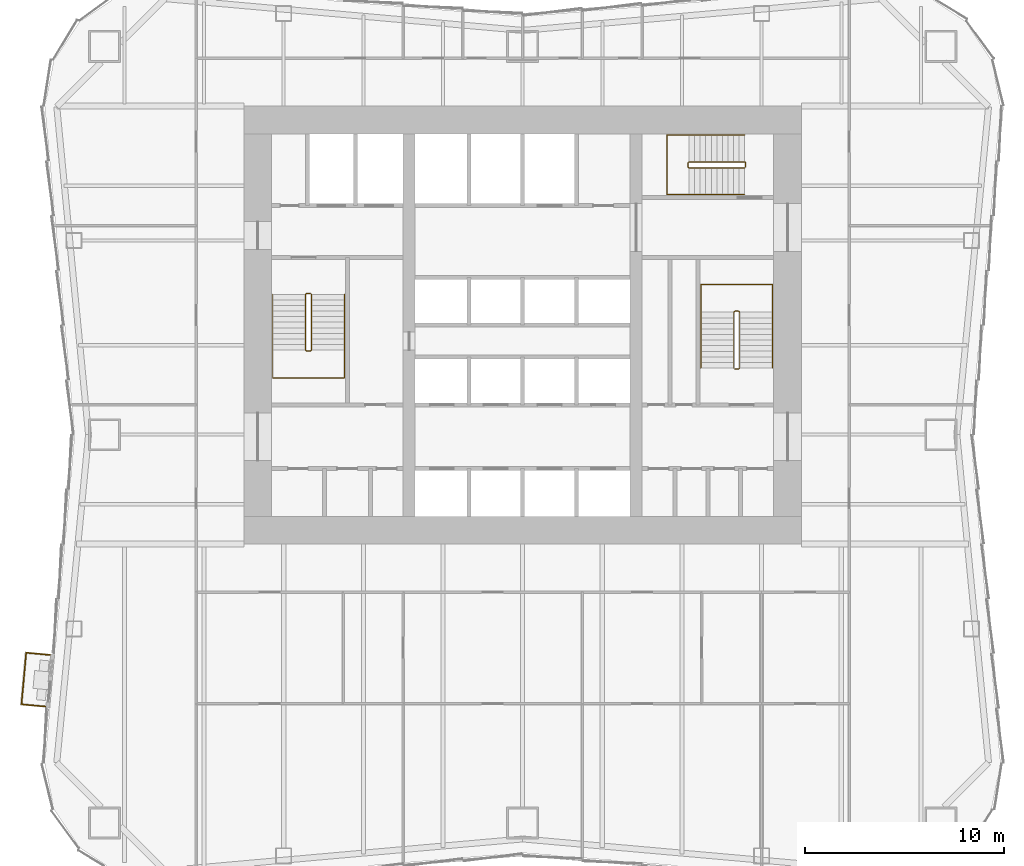
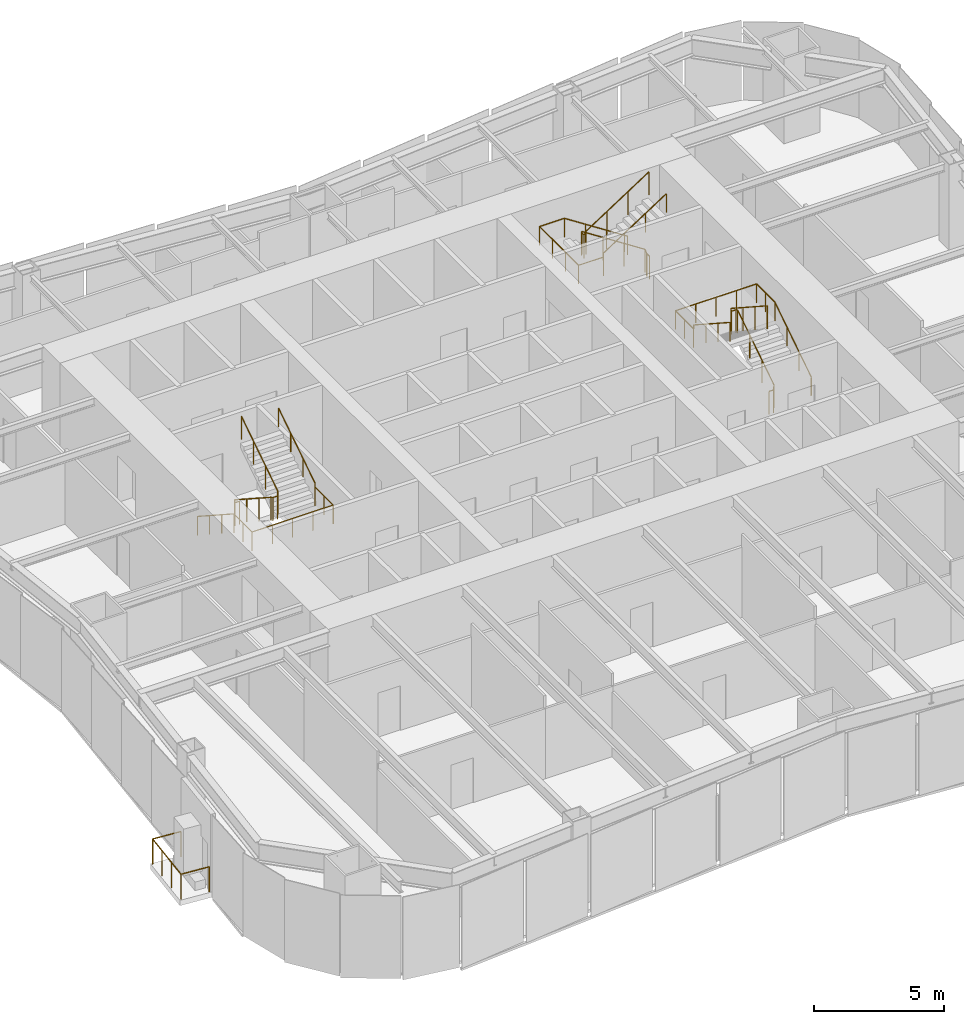
# One storey, part 7 of 8: 7 railings.
"""IFC4 building model written with IfcOpenShell, lengths in metres."""

import ifcopenshell
import ifcopenshell.guid

model = None  # the IFC model being written
_history = None  # IfcOwnerHistory: only IFC2X3 demands one
_inside = {}  # id of a spatial element -> (the spatial element, [elements in it])
_under = {}  # id of a project, library or spatial element -> (it, [spatial elements below it])
_declared = {}  # id of a project -> (the project, [libraries it declares])
_typed = {}  # id of a type object -> (the type object, [elements of that type])
_made_of = {}  # id of a material, layer set ... -> (it, [elements and type objects made of it])


def new_model(schema):
    """Start an empty IFC model of exactly this schema.

    Asked for "IFC4X3", IfcOpenShell would pick the latest addendum, in which some entities
    have other attributes; the version numbers below select the first issue.
    IFC2X3 requires an IfcOwnerHistory on every rooted entity: one is made here for all.
    """
    global model, _history
    if schema == "IFC4X3":
        model = ifcopenshell.file(schema_version=(4, 3, 0, 0))
    else:
        model = ifcopenshell.file(schema=schema)
    _inside.clear()
    _under.clear()
    _declared.clear()
    _typed.clear()
    _made_of.clear()
    _history = None
    if model.schema == "IFC2X3":
        org = make("IfcOrganization", Name="unknown")
        user = make(
            "IfcPersonAndOrganization",
            ThePerson=make("IfcPerson", FamilyName="unknown"),
            TheOrganization=org,
        )
        app = make(
            "IfcApplication",
            ApplicationDeveloper=org,
            Version="unknown",
            ApplicationFullName="unknown",
            ApplicationIdentifier="unknown",
        )
        _history = make(
            "IfcOwnerHistory",
            OwningUser=user,
            OwningApplication=app,
            ChangeAction="ADDED",
            CreationDate=0,
        )
    return model


def make(cls, **values):
    """One entity of the class cls with the attributes given. An attribute that is None is left unset."""
    return model.create_entity(
        cls, **{name: value for name, value in values.items() if value is not None}
    )


def rooted(cls, **values):
    """An entity with a GlobalId (a new one), such as an element, a storey or a relation."""
    return make(cls, GlobalId=ifcopenshell.guid.new(), OwnerHistory=_history, **values)


def si_unit(unit_type, name, prefix=None):
    """IfcSIUnit, for example si_unit("LENGTHUNIT", "METRE", prefix="MILLI")."""
    return make("IfcSIUnit", UnitType=unit_type, Prefix=prefix, Name=name)


def assignment(units):
    """IfcUnitAssignment: the units of a project."""
    return None if units is None else make("IfcUnitAssignment", Units=units)


def point(xyz):
    """IfcCartesianPoint."""
    return None if xyz is None else make("IfcCartesianPoint", Coordinates=xyz)


def direction(xyz):
    """IfcDirection."""
    return None if xyz is None else make("IfcDirection", DirectionRatios=xyz)


def frame(location, z_axis=None, x_axis=None):
    """IfcAxis2Placement3D, a coordinate frame: its origin and axes. An axis left out is left unset."""
    return make(
        "IfcAxis2Placement3D",
        Location=point(location),
        Axis=direction(z_axis),
        RefDirection=direction(x_axis),
    )


def frame_2d(location, x_axis=None):
    """IfcAxis2Placement2D, a coordinate frame in the plane: its origin and x axis."""
    return make(
        "IfcAxis2Placement2D", Location=point(location), RefDirection=direction(x_axis)
    )


def origin():
    """The frame at (0, 0, 0) with its axes left unset."""
    return frame((0.0, 0.0, 0.0))


def origin_2d():
    """The frame at (0, 0) in the plane with its x axis left unset."""
    return frame_2d((0.0, 0.0))


def place(relative_to, where):
    """IfcLocalPlacement: puts the frame where relative to a parent placement (None: the world)."""
    return make(
        "IfcLocalPlacement", PlacementRelTo=relative_to, RelativePlacement=where
    )


def context(
    kind, dimensions, precision=None, world=None, true_north=None, identifier=None
):
    """IfcGeometricRepresentationContext, for example the 3D "Model" context."""
    return make(
        "IfcGeometricRepresentationContext",
        ContextIdentifier=identifier,
        ContextType=kind,
        CoordinateSpaceDimension=dimensions,
        Precision=precision,
        WorldCoordinateSystem=world,
        TrueNorth=true_north,
    )


def subcontext(parent, identifier, kind, view, scale=None):
    """IfcGeometricRepresentationSubContext, for example "Body" below "Model"."""
    return make(
        "IfcGeometricRepresentationSubContext",
        ContextIdentifier=identifier,
        ContextType=kind,
        ParentContext=parent,
        TargetScale=scale,
        TargetView=view,
    )


def project(units=None, contexts=None):
    """IfcProject with its units and contexts."""
    return rooted(
        "IfcProject",
        Name="project",
        RepresentationContexts=contexts,
        UnitsInContext=assignment(units),
    )


def spatial(cls, under=None, at=None, **own):
    """A site, building, storey or space (cls), placed at a placement, below another one or the project."""
    s = rooted(cls, ObjectPlacement=at, **own)
    if under is not None:
        _under.setdefault(under.id(), (under, []))[1].append(s)
    return s


def profile(cls, at=None, kind="AREA", **sizes):
    """A parametric profile (cls). Its sizes go by their IFC names, for example OverallWidth=200.0."""
    return make(cls, ProfileType=kind, Position=at, **sizes)


def circle(**sizes):
    """IfcCircleProfileDef."""
    return profile("IfcCircleProfileDef", **sizes)


def extrude(swept, where, along, depth):
    """IfcExtrudedAreaSolid: the profile swept, set in the frame where, extruded along a direction by depth."""
    return make(
        "IfcExtrudedAreaSolid",
        SweptArea=swept,
        Position=where,
        ExtrudedDirection=direction(along),
        Depth=depth,
    )


def shape(context_of_items, identifier, shape_type, items):
    """IfcShapeRepresentation: the items that make up one representation, for example the "Body"."""
    return make(
        "IfcShapeRepresentation",
        ContextOfItems=context_of_items,
        RepresentationIdentifier=identifier,
        RepresentationType=shape_type,
        Items=items,
    )


def material(Name=None, Category=None):
    """IfcMaterial."""
    return make("IfcMaterial", Name=Name, Category=Category)


def made_of(thing, what):
    """Note that an element or type object is made of a material, layer set ...; save() writes the relation."""
    if what is not None:
        _made_of.setdefault(what.id(), (what, []))[1].append(thing)
    return thing


def type_object(cls, material=None, **own):
    """A type object (cls), such as IfcWallType, which elements share."""
    return made_of(rooted(cls, **own), material)


def element(
    cls,
    number,
    at=None,
    inside=None,
    cuts=None,
    type_object=None,
    material=None,
    context=None,
    identifier="Body",
    shape_type=None,
    held_by="IfcProductDefinitionShape",
    body=None,
    shapes=None,
    **own,
):
    """One element of the class cls, such as IfcWall. Its Tag is "e" and its number.

    at: its placement. inside: the storey or other place that contains it. cuts: it is an
    opening in that element (IfcRelVoidsElement). A single representation is given by context,
    identifier, shape_type and body (its items); several are given by shapes. held_by: the class
    of the entity that holds the representations. save() writes the other relations.
    """
    e = rooted(cls, Tag="e%d" % number, ObjectPlacement=at, **own)
    if body is not None:
        shapes = [shape(context, identifier, shape_type, body)]
    if shapes is not None:
        e.Representation = make(held_by, Representations=shapes)
    if inside is not None:
        _inside.setdefault(inside.id(), (inside, []))[1].append(e)
    if cuts is not None:
        rooted(
            "IfcRelVoidsElement", RelatingBuildingElement=cuts, RelatedOpeningElement=e
        )
    if type_object is not None:
        _typed.setdefault(type_object.id(), (type_object, []))[1].append(e)
    return made_of(e, material)


def aggregate(whole, parts):
    """IfcRelAggregates: a whole, such as a stair, and the parts it consists of."""
    return rooted("IfcRelAggregates", RelatingObject=whole, RelatedObjects=parts)


def save(model, path):
    """Write the relations noted so far, then the file.

    IfcRelAggregates (storeys below a building ...), IfcRelContainedInSpatialStructure (elements
    in a storey), IfcRelDefinesByType, IfcRelAssociatesMaterial and IfcRelDeclares: one each for
    every whole, place, type object, material and project.
    """
    for whole, parts in _under.values():
        aggregate(whole, parts)
    for where, things in _inside.values():
        rooted(
            "IfcRelContainedInSpatialStructure",
            RelatedElements=things,
            RelatingStructure=where,
        )
    for kind, things in _typed.values():
        rooted("IfcRelDefinesByType", RelatedObjects=things, RelatingType=kind)
    for what, things in _made_of.values():
        rooted("IfcRelAssociatesMaterial", RelatedObjects=things, RelatingMaterial=what)
    for by, libraries in _declared.values():
        rooted("IfcRelDeclares", RelatingContext=by, RelatedDefinitions=libraries)
    model.write(path)


model = new_model("IFC4")

# Units and contexts
model_context = context("Model", 3, precision=1e-05, world=origin(), true_north=direction((0.0, 1.0)))
body_context = subcontext(model_context, "Body", "Model", "MODEL_VIEW")
ifc_project = project(units=[si_unit("LENGTHUNIT", "METRE"), si_unit("AREAUNIT", "SQUARE_METRE"), si_unit("VOLUMEUNIT", "CUBIC_METRE"), si_unit("PLANEANGLEUNIT", "RADIAN"), si_unit("MASSUNIT", "GRAM", prefix="KILO")], contexts=[model_context])

# Site, building, storey
site_placement = place(None, origin())
site = spatial("IfcSite", under=ifc_project, at=site_placement, CompositionType="ELEMENT")
building_placement = place(site_placement, origin())
building = spatial("IfcBuilding", under=site, at=building_placement, Name="Verdant Reach Tower", CompositionType="ELEMENT")
storey_placement = place(building_placement, frame((0.0, 0.0, 46.0)))
storey = spatial("IfcBuildingStorey", under=building, at=storey_placement, Name="L10", CompositionType="ELEMENT", Elevation=46.0)

# Railings
ifc_material_1 = material(Name="Stainless steel", Category="steel")
railing_type_1 = type_object("IfcRailingType", Name="CO-GUARD", PredefinedType="GUARDRAIL", material=ifc_material_1)
railing_1_placement = place(storey_placement, frame((-10.64990234375, 29.60009765625, 0.0)))
element("IfcRailing", 1, at=railing_1_placement, inside=storey, type_object=railing_type_1, Name="L10 ST-1 stair guard 1", PredefinedType="GUARDRAIL", context=body_context, shape_type="SweptSolid", body=[
    extrude(circle(Radius=0.02392578125, at=origin_2d()), frame((0.0, 0.0, 1.076171875), z_axis=(-1.0, 0.0, 0.0), x_axis=(0.0, -1.0, 0.0)), (0.0, 0.0, 1.0), 0.2001953125),
    extrude(circle(Radius=0.02392578125, at=origin_2d()), frame((-0.2001953125, 0.0, 1.076171875), z_axis=(-0.25526617399, -0.256517478764, 0.932222056972), x_axis=(0.708833529934, -0.705375805398, 0.0)), (0.0, 0.0, 1.0), 0.195068359375),
    extrude(circle(Radius=0.02392578125, at=origin_2d()), frame((-0.25, -0.050048828125, 1.2578125), z_axis=(0.0, -0.838705829183, 0.544584733623), x_axis=(1.0, 0.0, 0.0)), (0.0, 0.0, 1.0), 3.338623046875),
    extrude(circle(Radius=0.02392578125, at=origin_2d()), frame((-0.25, -2.85009765625, 3.076171875), z_axis=(0.705375805398, -0.708833529934, 0.0), x_axis=(0.708833529934, 0.705375805398, 0.0)), (0.0, 0.0, 1.0), 0.070556640625),
    extrude(circle(Radius=0.02392578125, at=origin_2d()), frame((-0.2001953125, -2.900146484375, 3.076171875), z_axis=(1.0, 0.0, 0.0), x_axis=(0.0, 1.0, 0.0)), (0.0, 0.0, 1.0), 0.2001953125),
    extrude(circle(Radius=0.02392578125, at=origin_2d()), frame((0.0, -2.900146484375, 3.076171875), z_axis=(0.25526617399, 0.256517478764, 0.932222056972), x_axis=(-0.708833529934, 0.705375805398, 0.0)), (0.0, 0.0, 1.0), 0.195068359375),
    extrude(circle(Radius=0.02392578125, at=origin_2d()), frame((0.0498046875, -2.85009765625, 3.2578125), z_axis=(0.0, 0.838705829183, 0.544584733623), x_axis=(-1.0, 0.0, 0.0)), (0.0, 0.0, 1.0), 3.338623046875),
    extrude(circle(Radius=0.02099609375, at=origin_2d()), origin(), (0.0, 0.0, 1.0), 1.052001953125),
    extrude(circle(Radius=0.02099609375, at=origin_2d()), frame((-0.2001953125, 0.0, 0.0)), (0.0, 0.0, 1.0), 1.052001953125),
    extrude(circle(Radius=0.02099609375, at=origin_2d()), frame((-0.25, -0.050048828125, 0.181884765625)), (0.0, 0.0, 1.0), 1.052001953125),
    extrude(circle(Radius=0.02099609375, at=origin_2d()), frame((-0.25, -0.9833984375, 0.787841796875)), (0.0, 0.0, 1.0), 1.052001953125),
    extrude(circle(Radius=0.02099609375, at=origin_2d()), frame((-0.25, -1.916748046875, 1.39404296875)), (0.0, 0.0, 1.0), 1.052001953125),
    extrude(circle(Radius=0.02099609375, at=origin_2d()), frame((-0.25, -2.85009765625, 2.0)), (0.0, 0.0, 1.0), 1.052001953125),
    extrude(circle(Radius=0.02099609375, at=origin_2d()), frame((-0.2001953125, -2.900146484375, 2.0)), (0.0, 0.0, 1.0), 1.052001953125),
    extrude(circle(Radius=0.02099609375, at=origin_2d()), frame((0.0, -2.900146484375, 2.0)), (0.0, 0.0, 1.0), 1.052001953125),
    extrude(circle(Radius=0.02099609375, at=origin_2d()), frame((0.0498046875, -2.85009765625, 2.181884765625)), (0.0, 0.0, 1.0), 1.052001953125),
    extrude(circle(Radius=0.02099609375, at=origin_2d()), frame((0.0498046875, -1.916748046875, 2.787841796875)), (0.0, 0.0, 1.0), 1.052001953125),
    extrude(circle(Radius=0.02099609375, at=origin_2d()), frame((0.0498046875, -0.9833984375, 3.39404296875)), (0.0, 0.0, 1.0), 1.052001953125),
    extrude(circle(Radius=0.02099609375, at=origin_2d()), frame((0.0498046875, -0.050048828125, 4.0)), (0.0, 0.0, 1.0), 1.052001953125),
])
railing_2_placement = place(storey_placement, frame((10.64990234375, 25.800048828125, 0.0)))
element("IfcRailing", 2, at=railing_2_placement, inside=storey, type_object=railing_type_1, Name="L10 ST-2 stair guard 1", PredefinedType="GUARDRAIL", context=body_context, shape_type="SweptSolid", body=[
    extrude(circle(Radius=0.02392578125, at=origin_2d()), frame((0.0, 0.0, 1.076171875), z_axis=(1.0, 0.0, 0.0), x_axis=(0.0, 1.0, 0.0)), (0.0, 0.0, 1.0), 0.2001953125),
    extrude(circle(Radius=0.02392578125, at=origin_2d()), frame((0.2001953125, 0.0, 1.076171875), z_axis=(0.25526617399, 0.256517478764, 0.932222056972), x_axis=(-0.708833529934, 0.705375805398, 0.0)), (0.0, 0.0, 1.0), 0.195068359375),
    extrude(circle(Radius=0.02392578125, at=origin_2d()), frame((0.25, 0.050048828125, 1.2578125), z_axis=(0.0, 0.83868413941, 0.544618136222), x_axis=(-1.0, 0.0, 0.0)), (0.0, 0.0, 1.0), 3.33837890625),
    extrude(circle(Radius=0.02392578125, at=origin_2d()), frame((0.25, 2.849853515625, 3.076171875), z_axis=(-0.705375805398, 0.708833529934, 0.0), x_axis=(-0.708833529934, -0.705375805398, 0.0)), (0.0, 0.0, 1.0), 0.070556640625),
    extrude(circle(Radius=0.02392578125, at=origin_2d()), frame((0.2001953125, 2.89990234375, 3.076171875), z_axis=(-1.0, 0.0, 0.0), x_axis=(0.0, -1.0, 0.0)), (0.0, 0.0, 1.0), 0.2001953125),
    extrude(circle(Radius=0.02392578125, at=origin_2d()), frame((0.0, 2.89990234375, 3.076171875), z_axis=(-0.25526617399, -0.256517478764, 0.932222056972), x_axis=(0.708833529934, -0.705375805398, 0.0)), (0.0, 0.0, 1.0), 0.195068359375),
    extrude(circle(Radius=0.02392578125, at=origin_2d()), frame((-0.0498046875, 2.849853515625, 3.2578125), z_axis=(0.0, -0.83868413941, 0.544618136222), x_axis=(1.0, 0.0, 0.0)), (0.0, 0.0, 1.0), 3.33837890625),
    extrude(circle(Radius=0.02099609375, at=origin_2d()), origin(), (0.0, 0.0, 1.0), 1.052001953125),
    extrude(circle(Radius=0.02099609375, at=origin_2d()), frame((0.2001953125, 0.0, 0.0)), (0.0, 0.0, 1.0), 1.052001953125),
    extrude(circle(Radius=0.02099609375, at=origin_2d()), frame((0.25, 0.050048828125, 0.181884765625)), (0.0, 0.0, 1.0), 1.052001953125),
    extrude(circle(Radius=0.02099609375, at=origin_2d()), frame((0.25, 0.9833984375, 0.787841796875)), (0.0, 0.0, 1.0), 1.052001953125),
    extrude(circle(Radius=0.02099609375, at=origin_2d()), frame((0.25, 1.91650390625, 1.39404296875)), (0.0, 0.0, 1.0), 1.052001953125),
    extrude(circle(Radius=0.02099609375, at=origin_2d()), frame((0.25, 2.849853515625, 2.0)), (0.0, 0.0, 1.0), 1.052001953125),
    extrude(circle(Radius=0.02099609375, at=origin_2d()), frame((0.2001953125, 2.89990234375, 2.0)), (0.0, 0.0, 1.0), 1.052001953125),
    extrude(circle(Radius=0.02099609375, at=origin_2d()), frame((0.0, 2.89990234375, 2.0)), (0.0, 0.0, 1.0), 1.052001953125),
    extrude(circle(Radius=0.02099609375, at=origin_2d()), frame((-0.0498046875, 2.849853515625, 2.181884765625)), (0.0, 0.0, 1.0), 1.052001953125),
    extrude(circle(Radius=0.02099609375, at=origin_2d()), frame((-0.0498046875, 1.91650390625, 2.787841796875)), (0.0, 0.0, 1.0), 1.052001953125),
    extrude(circle(Radius=0.02099609375, at=origin_2d()), frame((-0.0498046875, 0.9833984375, 3.39404296875)), (0.0, 0.0, 1.0), 1.052001953125),
    extrude(circle(Radius=0.02099609375, at=origin_2d()), frame((-0.0498046875, 0.050048828125, 4.0)), (0.0, 0.0, 1.0), 1.052001953125),
])
railing_3_placement = place(storey_placement, frame((11.199951171875, 35.949951171875, 0.0)))
element("IfcRailing", 3, at=railing_3_placement, inside=storey, type_object=railing_type_1, Name="L10 ST-3 stair guard 1", PredefinedType="GUARDRAIL", context=body_context, shape_type="SweptSolid", body=[
    extrude(circle(Radius=0.02392578125, at=origin_2d()), frame((0.0, 0.0, 1.076171875), z_axis=(0.0, 1.0, 0.0), x_axis=(-1.0, 0.0, 0.0)), (0.0, 0.0, 1.0), 0.199951171875),
    extrude(circle(Radius=0.02392578125, at=origin_2d()), frame((0.0, 0.199951171875, 1.076171875), z_axis=(-0.256435381639, 0.256435381639, 0.931923704005), x_axis=(-0.707106781187, -0.707106781187, 0.0)), (0.0, 0.0, 1.0), 0.195068359375),
    extrude(circle(Radius=0.02392578125, at=origin_2d()), frame((-0.050048828125, 0.25, 1.2578125), z_axis=(-0.83868413941, 0.0, 0.544618136222), x_axis=(0.0, -1.0, 0.0)), (0.0, 0.0, 1.0), 3.33837890625),
    extrude(circle(Radius=0.02392578125, at=origin_2d()), frame((-2.849853515625, 0.25, 3.076171875), z_axis=(-0.707106781187, -0.707106781187, 0.0), x_axis=(0.707106781187, -0.707106781187, 0.0)), (0.0, 0.0, 1.0), 0.07080078125),
    extrude(circle(Radius=0.02392578125, at=origin_2d()), frame((-2.89990234375, 0.199951171875, 3.076171875), z_axis=(0.0, -1.0, 0.0), x_axis=(1.0, 0.0, 0.0)), (0.0, 0.0, 1.0), 0.199951171875),
    extrude(circle(Radius=0.02392578125, at=origin_2d()), frame((-2.89990234375, 0.0, 3.076171875), z_axis=(0.256435381639, -0.256435381639, 0.931923704005), x_axis=(0.707106781187, 0.707106781187, 0.0)), (0.0, 0.0, 1.0), 0.195068359375),
    extrude(circle(Radius=0.02392578125, at=origin_2d()), frame((-2.849853515625, -0.050048828125, 3.2578125), z_axis=(0.83868413941, 0.0, 0.544618136222), x_axis=(0.0, 1.0, 0.0)), (0.0, 0.0, 1.0), 3.33837890625),
    extrude(circle(Radius=0.02099609375, at=origin_2d()), origin(), (0.0, 0.0, 1.0), 1.052001953125),
    extrude(circle(Radius=0.02099609375, at=origin_2d()), frame((0.0, 0.199951171875, 0.0)), (0.0, 0.0, 1.0), 1.052001953125),
    extrude(circle(Radius=0.02099609375, at=origin_2d()), frame((-0.050048828125, 0.25, 0.181884765625)), (0.0, 0.0, 1.0), 1.052001953125),
    extrude(circle(Radius=0.02099609375, at=origin_2d()), frame((-0.9833984375, 0.25, 0.787841796875)), (0.0, 0.0, 1.0), 1.052001953125),
    extrude(circle(Radius=0.02099609375, at=origin_2d()), frame((-1.91650390625, 0.25, 1.39404296875)), (0.0, 0.0, 1.0), 1.052001953125),
    extrude(circle(Radius=0.02099609375, at=origin_2d()), frame((-2.849853515625, 0.25, 2.0)), (0.0, 0.0, 1.0), 1.052001953125),
    extrude(circle(Radius=0.02099609375, at=origin_2d()), frame((-2.89990234375, 0.199951171875, 2.0)), (0.0, 0.0, 1.0), 1.052001953125),
    extrude(circle(Radius=0.02099609375, at=origin_2d()), frame((-2.89990234375, 0.0, 2.0)), (0.0, 0.0, 1.0), 1.052001953125),
    extrude(circle(Radius=0.02099609375, at=origin_2d()), frame((-2.849853515625, -0.050048828125, 2.181884765625)), (0.0, 0.0, 1.0), 1.052001953125),
    extrude(circle(Radius=0.02099609375, at=origin_2d()), frame((-1.91650390625, -0.050048828125, 2.787841796875)), (0.0, 0.0, 1.0), 1.052001953125),
    extrude(circle(Radius=0.02099609375, at=origin_2d()), frame((-0.9833984375, -0.050048828125, 3.39404296875)), (0.0, 0.0, 1.0), 1.052001953125),
    extrude(circle(Radius=0.02099609375, at=origin_2d()), frame((-0.050048828125, -0.050048828125, 4.0)), (0.0, 0.0, 1.0), 1.052001953125),
])
railing_type_2 = type_object("IfcRailingType", Name="CO-HANDRAIL", PredefinedType="HANDRAIL", material=ifc_material_1)
railing_4_placement = place(storey_placement, frame((-12.550048828125, 29.550048828125, 0.181884765625)))
element("IfcRailing", 4, at=railing_4_placement, inside=storey, type_object=railing_type_2, Name="L10 ST-1 stair handrail 1", PredefinedType="HANDRAIL", context=body_context, shape_type="SweptSolid", body=[
    extrude(circle(Radius=0.02392578125, at=origin_2d()), frame((0.0, 0.0, 0.8759765625), z_axis=(0.0, -0.838705829183, 0.544584733623), x_axis=(1.0, 0.0, 0.0)), (0.0, 0.0, 1.0), 3.338623046875),
    extrude(circle(Radius=0.02392578125, at=origin_2d()), frame((0.0, -2.800048828125, 2.69384765625), z_axis=(0.0, -1.0, 0.0), x_axis=(1.0, 0.0, 0.0)), (0.0, 0.0, 1.0), 1.39990234375),
    extrude(circle(Radius=0.02392578125, at=origin_2d()), frame((0.0, -4.199951171875, 2.69384765625), z_axis=(1.0, 0.0, 0.0), x_axis=(0.0, 1.0, 0.0)), (0.0, 0.0, 1.0), 3.60009765625),
    extrude(circle(Radius=0.02392578125, at=origin_2d()), frame((3.60009765625, -4.199951171875, 2.69384765625), z_axis=(0.0, 1.0, 0.0), x_axis=(-1.0, 0.0, 0.0)), (0.0, 0.0, 1.0), 1.39990234375),
    extrude(circle(Radius=0.02392578125, at=origin_2d()), frame((3.60009765625, -2.800048828125, 2.69384765625), z_axis=(0.0, 0.0, 1.0), x_axis=(1.0, 0.0, 0.0)), (0.0, 0.0, 1.0), 0.181884765625),
    extrude(circle(Radius=0.02392578125, at=origin_2d()), frame((3.60009765625, -2.800048828125, 2.8759765625), z_axis=(0.0, 0.838705829183, 0.544584733623), x_axis=(-1.0, 0.0, 0.0)), (0.0, 0.0, 1.0), 3.338623046875),
    extrude(circle(Radius=0.02099609375, at=origin_2d()), origin(), (0.0, 0.0, 1.0), 0.851806640625),
    extrude(circle(Radius=0.02099609375, at=origin_2d()), frame((0.0, -0.933349609375, 0.60595703125)), (0.0, 0.0, 1.0), 0.851806640625),
    extrude(circle(Radius=0.02099609375, at=origin_2d()), frame((0.0, -1.86669921875, 1.212158203125)), (0.0, 0.0, 1.0), 0.851806640625),
    extrude(circle(Radius=0.02099609375, at=origin_2d()), frame((0.0, -2.800048828125, 1.818115234375)), (0.0, 0.0, 1.0), 0.851806640625),
    extrude(circle(Radius=0.02099609375, at=origin_2d()), frame((0.0, -3.5, 1.818115234375)), (0.0, 0.0, 1.0), 0.851806640625),
    extrude(circle(Radius=0.02099609375, at=origin_2d()), frame((0.0, -4.199951171875, 1.818115234375)), (0.0, 0.0, 1.0), 0.851806640625),
    extrude(circle(Radius=0.02099609375, at=origin_2d()), frame((0.89990234375, -4.199951171875, 1.818115234375)), (0.0, 0.0, 1.0), 0.851806640625),
    extrude(circle(Radius=0.02099609375, at=origin_2d()), frame((1.800048828125, -4.199951171875, 1.818115234375)), (0.0, 0.0, 1.0), 0.851806640625),
    extrude(circle(Radius=0.02099609375, at=origin_2d()), frame((2.7001953125, -4.199951171875, 1.818115234375)), (0.0, 0.0, 1.0), 0.851806640625),
    extrude(circle(Radius=0.02099609375, at=origin_2d()), frame((3.60009765625, -4.199951171875, 1.818115234375)), (0.0, 0.0, 1.0), 0.851806640625),
    extrude(circle(Radius=0.02099609375, at=origin_2d()), frame((3.60009765625, -3.5, 1.818115234375)), (0.0, 0.0, 1.0), 0.851806640625),
    extrude(circle(Radius=0.02099609375, at=origin_2d()), frame((3.60009765625, -2.800048828125, 1.818115234375)), (0.0, 0.0, 1.0), 0.851806640625),
    extrude(circle(Radius=0.02099609375, at=origin_2d()), frame((3.60009765625, -2.800048828125, 2.0)), (0.0, 0.0, 1.0), 0.851806640625),
    extrude(circle(Radius=0.02099609375, at=origin_2d()), frame((3.60009765625, -1.86669921875, 2.60595703125)), (0.0, 0.0, 1.0), 0.851806640625),
    extrude(circle(Radius=0.02099609375, at=origin_2d()), frame((3.60009765625, -0.933349609375, 3.212158203125)), (0.0, 0.0, 1.0), 0.851806640625),
    extrude(circle(Radius=0.02099609375, at=origin_2d()), frame((3.60009765625, 0.0, 3.818115234375)), (0.0, 0.0, 1.0), 0.851806640625),
])
railing_5_placement = place(storey_placement, frame((12.550048828125, 25.85009765625, 0.181884765625)))
element("IfcRailing", 5, at=railing_5_placement, inside=storey, type_object=railing_type_2, Name="L10 ST-2 stair handrail 1", PredefinedType="HANDRAIL", context=body_context, shape_type="SweptSolid", body=[
    extrude(circle(Radius=0.02392578125, at=origin_2d()), frame((0.0, 0.0, 0.8759765625), z_axis=(0.0, 0.83868413941, 0.544618136222), x_axis=(-1.0, 0.0, 0.0)), (0.0, 0.0, 1.0), 3.33837890625),
    extrude(circle(Radius=0.02392578125, at=origin_2d()), frame((0.0, 2.7998046875, 2.69384765625), z_axis=(0.0, 1.0, 0.0), x_axis=(-1.0, 0.0, 0.0)), (0.0, 0.0, 1.0), 1.400146484375),
    extrude(circle(Radius=0.02392578125, at=origin_2d()), frame((0.0, 4.199951171875, 2.69384765625), z_axis=(-1.0, 0.0, 0.0), x_axis=(0.0, -1.0, 0.0)), (0.0, 0.0, 1.0), 3.60009765625),
    extrude(circle(Radius=0.02392578125, at=origin_2d()), frame((-3.60009765625, 4.199951171875, 2.69384765625), z_axis=(0.0, -1.0, 0.0), x_axis=(1.0, 0.0, 0.0)), (0.0, 0.0, 1.0), 1.400146484375),
    extrude(circle(Radius=0.02392578125, at=origin_2d()), frame((-3.60009765625, 2.7998046875, 2.69384765625), z_axis=(0.0, 0.0, 1.0), x_axis=(1.0, 0.0, 0.0)), (0.0, 0.0, 1.0), 0.181884765625),
    extrude(circle(Radius=0.02392578125, at=origin_2d()), frame((-3.60009765625, 2.7998046875, 2.8759765625), z_axis=(0.0, -0.83868413941, 0.544618136222), x_axis=(1.0, 0.0, 0.0)), (0.0, 0.0, 1.0), 3.33837890625),
    extrude(circle(Radius=0.02099609375, at=origin_2d()), origin(), (0.0, 0.0, 1.0), 0.851806640625),
    extrude(circle(Radius=0.02099609375, at=origin_2d()), frame((0.0, 0.933349609375, 0.60595703125)), (0.0, 0.0, 1.0), 0.851806640625),
    extrude(circle(Radius=0.02099609375, at=origin_2d()), frame((0.0, 1.866455078125, 1.212158203125)), (0.0, 0.0, 1.0), 0.851806640625),
    extrude(circle(Radius=0.02099609375, at=origin_2d()), frame((0.0, 2.7998046875, 1.818115234375)), (0.0, 0.0, 1.0), 0.851806640625),
    extrude(circle(Radius=0.02099609375, at=origin_2d()), frame((0.0, 3.5, 1.818115234375)), (0.0, 0.0, 1.0), 0.851806640625),
    extrude(circle(Radius=0.02099609375, at=origin_2d()), frame((0.0, 4.199951171875, 1.818115234375)), (0.0, 0.0, 1.0), 0.851806640625),
    extrude(circle(Radius=0.02099609375, at=origin_2d()), frame((-0.89990234375, 4.199951171875, 1.818115234375)), (0.0, 0.0, 1.0), 0.851806640625),
    extrude(circle(Radius=0.02099609375, at=origin_2d()), frame((-1.800048828125, 4.199951171875, 1.818115234375)), (0.0, 0.0, 1.0), 0.851806640625),
    extrude(circle(Radius=0.02099609375, at=origin_2d()), frame((-2.7001953125, 4.199951171875, 1.818115234375)), (0.0, 0.0, 1.0), 0.851806640625),
    extrude(circle(Radius=0.02099609375, at=origin_2d()), frame((-3.60009765625, 4.199951171875, 1.818115234375)), (0.0, 0.0, 1.0), 0.851806640625),
    extrude(circle(Radius=0.02099609375, at=origin_2d()), frame((-3.60009765625, 3.5, 1.818115234375)), (0.0, 0.0, 1.0), 0.851806640625),
    extrude(circle(Radius=0.02099609375, at=origin_2d()), frame((-3.60009765625, 2.7998046875, 1.818115234375)), (0.0, 0.0, 1.0), 0.851806640625),
    extrude(circle(Radius=0.02099609375, at=origin_2d()), frame((-3.60009765625, 2.7998046875, 2.0)), (0.0, 0.0, 1.0), 0.851806640625),
    extrude(circle(Radius=0.02099609375, at=origin_2d()), frame((-3.60009765625, 1.866455078125, 2.60595703125)), (0.0, 0.0, 1.0), 0.851806640625),
    extrude(circle(Radius=0.02099609375, at=origin_2d()), frame((-3.60009765625, 0.933349609375, 3.212158203125)), (0.0, 0.0, 1.0), 0.851806640625),
    extrude(circle(Radius=0.02099609375, at=origin_2d()), frame((-3.60009765625, 0.0, 3.818115234375)), (0.0, 0.0, 1.0), 0.851806640625),
])
railing_6_placement = place(storey_placement, frame((11.14990234375, 37.550048828125, 0.181884765625)))
element("IfcRailing", 6, at=railing_6_placement, inside=storey, type_object=railing_type_2, Name="L10 ST-3 stair handrail 1", PredefinedType="HANDRAIL", context=body_context, shape_type="SweptSolid", body=[
    extrude(circle(Radius=0.02392578125, at=origin_2d()), frame((0.0, 0.0, 0.8759765625), z_axis=(-0.83868413941, 0.0, 0.544618136222), x_axis=(0.0, -1.0, 0.0)), (0.0, 0.0, 1.0), 3.33837890625),
    extrude(circle(Radius=0.02392578125, at=origin_2d()), frame((-2.7998046875, 0.0, 2.69384765625), z_axis=(-1.0, 0.0, 0.0), x_axis=(0.0, -1.0, 0.0)), (0.0, 0.0, 1.0), 1.10009765625),
    extrude(circle(Radius=0.02392578125, at=origin_2d()), frame((-3.89990234375, 0.0, 2.69384765625), z_axis=(0.0, -1.0, 0.0), x_axis=(1.0, 0.0, 0.0)), (0.0, 0.0, 1.0), 3.0),
    extrude(circle(Radius=0.02392578125, at=origin_2d()), frame((-3.89990234375, -3.0, 2.69384765625), z_axis=(1.0, 0.0, 0.0), x_axis=(0.0, 1.0, 0.0)), (0.0, 0.0, 1.0), 1.10009765625),
    extrude(circle(Radius=0.02392578125, at=origin_2d()), frame((-2.7998046875, -3.0, 2.69384765625), z_axis=(0.0, 0.0, 1.0), x_axis=(1.0, 0.0, 0.0)), (0.0, 0.0, 1.0), 0.181884765625),
    extrude(circle(Radius=0.02392578125, at=origin_2d()), frame((-2.7998046875, -3.0, 2.8759765625), z_axis=(0.83868413941, 0.0, 0.544618136222), x_axis=(0.0, 1.0, 0.0)), (0.0, 0.0, 1.0), 3.33837890625),
    extrude(circle(Radius=0.02099609375, at=origin_2d()), origin(), (0.0, 0.0, 1.0), 0.851806640625),
    extrude(circle(Radius=0.02099609375, at=origin_2d()), frame((-0.933349609375, 0.0, 0.60595703125)), (0.0, 0.0, 1.0), 0.851806640625),
    extrude(circle(Radius=0.02099609375, at=origin_2d()), frame((-1.866455078125, 0.0, 1.212158203125)), (0.0, 0.0, 1.0), 0.851806640625),
    extrude(circle(Radius=0.02099609375, at=origin_2d()), frame((-2.7998046875, 0.0, 1.818115234375)), (0.0, 0.0, 1.0), 0.851806640625),
    extrude(circle(Radius=0.02099609375, at=origin_2d()), frame((-3.89990234375, 0.0, 1.818115234375)), (0.0, 0.0, 1.0), 0.851806640625),
    extrude(circle(Radius=0.02099609375, at=origin_2d()), frame((-3.89990234375, -1.0, 1.818115234375)), (0.0, 0.0, 1.0), 0.851806640625),
    extrude(circle(Radius=0.02099609375, at=origin_2d()), frame((-3.89990234375, -2.0, 1.818115234375)), (0.0, 0.0, 1.0), 0.851806640625),
    extrude(circle(Radius=0.02099609375, at=origin_2d()), frame((-3.89990234375, -3.0, 1.818115234375)), (0.0, 0.0, 1.0), 0.851806640625),
    extrude(circle(Radius=0.02099609375, at=origin_2d()), frame((-2.7998046875, -3.0, 1.818115234375)), (0.0, 0.0, 1.0), 0.851806640625),
    extrude(circle(Radius=0.02099609375, at=origin_2d()), frame((-2.7998046875, -3.0, 2.0)), (0.0, 0.0, 1.0), 0.851806640625),
    extrude(circle(Radius=0.02099609375, at=origin_2d()), frame((-1.866455078125, -3.0, 2.60595703125)), (0.0, 0.0, 1.0), 0.851806640625),
    extrude(circle(Radius=0.02099609375, at=origin_2d()), frame((-0.933349609375, -3.0, 3.212158203125)), (0.0, 0.0, 1.0), 0.851806640625),
    extrude(circle(Radius=0.02099609375, at=origin_2d()), frame((0.0, -3.0, 3.818115234375)), (0.0, 0.0, 1.0), 0.851806640625),
])
ifc_material_2 = material(Name="Stainless steel and laminated glass balustrade", Category="steel")
railing_type_3 = type_object("IfcRailingType", Name="EN-RAILING BALCONY", PredefinedType="GUARDRAIL", material=ifc_material_2)
railing_7_placement = place(storey_placement, frame((-23.736328125, 11.441162109375, 0.0)))
element("IfcRailing", 7, at=railing_7_placement, inside=storey, type_object=railing_type_3, Name="Balcony guard 1, L10", PredefinedType="GUARDRAIL", context=body_context, shape_type="SweptSolid", body=[
    extrude(circle(Radius=0.02490234375, at=origin_2d()), frame((0.0, 0.0, 1.1748046875), z_axis=(-0.995893206468, 0.090535746043, 0.0), x_axis=(-0.090535746043, -0.995893206468, 0.0)), (0.0, 0.0, 1.0), 1.199951171875),
    extrude(circle(Radius=0.02490234375, at=origin_2d()), frame((-1.195068359375, 0.108642578125, 1.1748046875), z_axis=(-0.090569595155, -0.995890128696, 0.0), x_axis=(0.995890128696, -0.090569595155, 0.0)), (0.0, 0.0, 1.0), 2.601318359375),
    extrude(circle(Radius=0.02490234375, at=origin_2d()), frame((-1.4306640625, -2.48193359375, 1.1748046875), z_axis=(0.995893206468, -0.090535746043, 0.0), x_axis=(0.090535746043, 0.995893206468, 0.0)), (0.0, 0.0, 1.0), 1.199951171875),
    extrude(circle(Radius=0.02490234375, at=origin_2d()), origin(), (0.0, 0.0, 1.0), 1.14990234375),
    extrude(circle(Radius=0.02490234375, at=origin_2d()), frame((-1.195068359375, 0.108642578125, 0.0)), (0.0, 0.0, 1.0), 1.14990234375),
    extrude(circle(Radius=0.02490234375, at=origin_2d()), frame((-1.273681640625, -0.7548828125, 0.0)), (0.0, 0.0, 1.0), 1.14990234375),
    extrude(circle(Radius=0.02490234375, at=origin_2d()), frame((-1.35205078125, -1.618408203125, 0.0)), (0.0, 0.0, 1.0), 1.14990234375),
    extrude(circle(Radius=0.02490234375, at=origin_2d()), frame((-1.4306640625, -2.48193359375, 0.0)), (0.0, 0.0, 1.0), 1.14990234375),
    extrude(circle(Radius=0.02490234375, at=origin_2d()), frame((-0.235595703125, -2.590576171875, 0.0)), (0.0, 0.0, 1.0), 1.14990234375),
])

save(model, "model.ifc")
